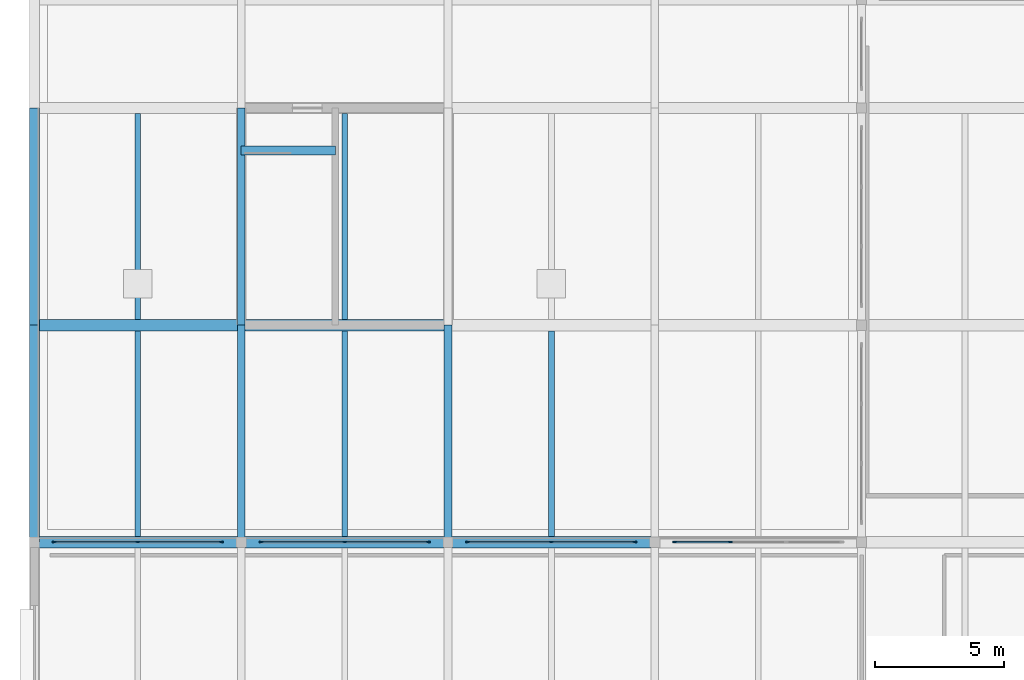
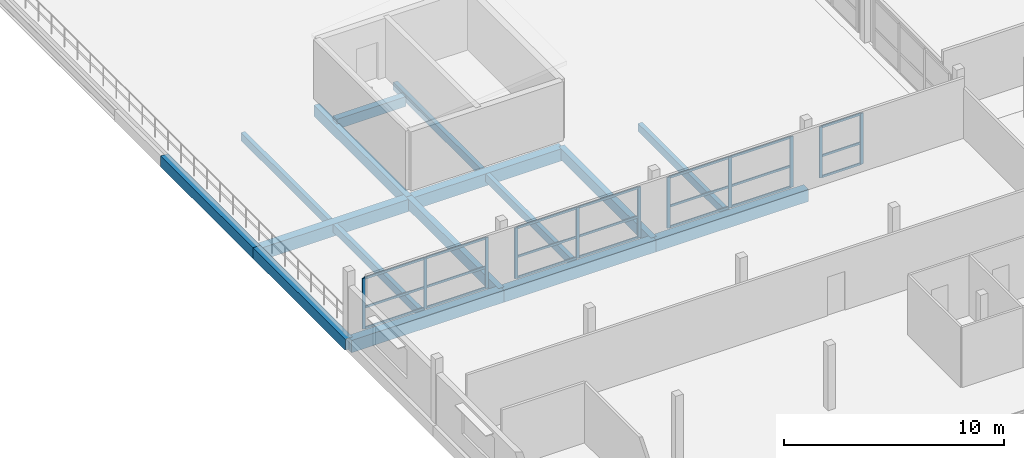
# One storey, part 18 of 51: 32 members, 16 beams, 4 elements without a shape of their own.
"""IFC4 building model written with IfcOpenShell, lengths in metres."""

import ifcopenshell
import ifcopenshell.guid

model = None  # the IFC model being written
_history = None  # IfcOwnerHistory: only IFC2X3 demands one
_inside = {}  # id of a spatial element -> (the spatial element, [elements in it])
_under = {}  # id of a project, library or spatial element -> (it, [spatial elements below it])
_declared = {}  # id of a project -> (the project, [libraries it declares])
_typed = {}  # id of a type object -> (the type object, [elements of that type])
_made_of = {}  # id of a material, layer set ... -> (it, [elements and type objects made of it])


def new_model(schema):
    """Start an empty IFC model of exactly this schema.

    Asked for "IFC4X3", IfcOpenShell would pick the latest addendum, in which some entities
    have other attributes; the version numbers below select the first issue.
    IFC2X3 requires an IfcOwnerHistory on every rooted entity: one is made here for all.
    """
    global model, _history
    if schema == "IFC4X3":
        model = ifcopenshell.file(schema_version=(4, 3, 0, 0))
    else:
        model = ifcopenshell.file(schema=schema)
    _inside.clear()
    _under.clear()
    _declared.clear()
    _typed.clear()
    _made_of.clear()
    _history = None
    if model.schema == "IFC2X3":
        org = make("IfcOrganization", Name="unknown")
        user = make(
            "IfcPersonAndOrganization",
            ThePerson=make("IfcPerson", FamilyName="unknown"),
            TheOrganization=org,
        )
        app = make(
            "IfcApplication",
            ApplicationDeveloper=org,
            Version="unknown",
            ApplicationFullName="unknown",
            ApplicationIdentifier="unknown",
        )
        _history = make(
            "IfcOwnerHistory",
            OwningUser=user,
            OwningApplication=app,
            ChangeAction="ADDED",
            CreationDate=0,
        )
    return model


def make(cls, **values):
    """One entity of the class cls with the attributes given. An attribute that is None is left unset."""
    return model.create_entity(
        cls, **{name: value for name, value in values.items() if value is not None}
    )


def rooted(cls, **values):
    """An entity with a GlobalId (a new one), such as an element, a storey or a relation."""
    return make(cls, GlobalId=ifcopenshell.guid.new(), OwnerHistory=_history, **values)


def si_unit(unit_type, name, prefix=None):
    """IfcSIUnit, for example si_unit("LENGTHUNIT", "METRE", prefix="MILLI")."""
    return make("IfcSIUnit", UnitType=unit_type, Prefix=prefix, Name=name)


def assignment(units):
    """IfcUnitAssignment: the units of a project."""
    return None if units is None else make("IfcUnitAssignment", Units=units)


def point(xyz):
    """IfcCartesianPoint."""
    return None if xyz is None else make("IfcCartesianPoint", Coordinates=xyz)


def direction(xyz):
    """IfcDirection."""
    return None if xyz is None else make("IfcDirection", DirectionRatios=xyz)


def frame(location, z_axis=None, x_axis=None):
    """IfcAxis2Placement3D, a coordinate frame: its origin and axes. An axis left out is left unset."""
    return make(
        "IfcAxis2Placement3D",
        Location=point(location),
        Axis=direction(z_axis),
        RefDirection=direction(x_axis),
    )


def frame_2d(location, x_axis=None):
    """IfcAxis2Placement2D, a coordinate frame in the plane: its origin and x axis."""
    return make(
        "IfcAxis2Placement2D", Location=point(location), RefDirection=direction(x_axis)
    )


def origin():
    """The frame at (0, 0, 0) with its axes left unset."""
    return frame((0.0, 0.0, 0.0))


def origin_2d():
    """The frame at (0, 0) in the plane with its x axis left unset."""
    return frame_2d((0.0, 0.0))


def place(relative_to, where):
    """IfcLocalPlacement: puts the frame where relative to a parent placement (None: the world)."""
    return make(
        "IfcLocalPlacement", PlacementRelTo=relative_to, RelativePlacement=where
    )


def context(
    kind, dimensions, precision=None, world=None, true_north=None, identifier=None
):
    """IfcGeometricRepresentationContext, for example the 3D "Model" context."""
    return make(
        "IfcGeometricRepresentationContext",
        ContextIdentifier=identifier,
        ContextType=kind,
        CoordinateSpaceDimension=dimensions,
        Precision=precision,
        WorldCoordinateSystem=world,
        TrueNorth=true_north,
    )


def subcontext(parent, identifier, kind, view, scale=None):
    """IfcGeometricRepresentationSubContext, for example "Body" below "Model"."""
    return make(
        "IfcGeometricRepresentationSubContext",
        ContextIdentifier=identifier,
        ContextType=kind,
        ParentContext=parent,
        TargetScale=scale,
        TargetView=view,
    )


def project(units=None, contexts=None):
    """IfcProject with its units and contexts."""
    return rooted(
        "IfcProject",
        Name="project",
        RepresentationContexts=contexts,
        UnitsInContext=assignment(units),
    )


def spatial(cls, under=None, at=None, **own):
    """A site, building, storey or space (cls), placed at a placement, below another one or the project."""
    s = rooted(cls, ObjectPlacement=at, **own)
    if under is not None:
        _under.setdefault(under.id(), (under, []))[1].append(s)
    return s


def profile(cls, at=None, kind="AREA", **sizes):
    """A parametric profile (cls). Its sizes go by their IFC names, for example OverallWidth=200.0."""
    return make(cls, ProfileType=kind, Position=at, **sizes)


def rectangle(**sizes):
    """IfcRectangleProfileDef."""
    return profile("IfcRectangleProfileDef", **sizes)


def extrude(swept, where, along, depth):
    """IfcExtrudedAreaSolid: the profile swept, set in the frame where, extruded along a direction by depth."""
    return make(
        "IfcExtrudedAreaSolid",
        SweptArea=swept,
        Position=where,
        ExtrudedDirection=direction(along),
        Depth=depth,
    )


def shape(context_of_items, identifier, shape_type, items):
    """IfcShapeRepresentation: the items that make up one representation, for example the "Body"."""
    return make(
        "IfcShapeRepresentation",
        ContextOfItems=context_of_items,
        RepresentationIdentifier=identifier,
        RepresentationType=shape_type,
        Items=items,
    )


def material(Name=None, Category=None):
    """IfcMaterial."""
    return make("IfcMaterial", Name=Name, Category=Category)


def material_profile(
    of_material, cross_section, Name=None, Category=None, Priority=None
):
    """IfcMaterialProfile: a cross section and its material."""
    return make(
        "IfcMaterialProfile",
        Name=Name,
        Material=of_material,
        Profile=cross_section,
        Priority=Priority,
        Category=Category,
    )


def profile_set(profiles, Name=None, composite=None):
    """IfcMaterialProfileSet."""
    return make(
        "IfcMaterialProfileSet",
        Name=Name,
        MaterialProfiles=profiles,
        CompositeProfile=composite,
    )


def made_of(thing, what):
    """Note that an element or type object is made of a material, layer set ...; save() writes the relation."""
    if what is not None:
        _made_of.setdefault(what.id(), (what, []))[1].append(thing)
    return thing


def type_object(cls, material=None, **own):
    """A type object (cls), such as IfcWallType, which elements share."""
    return made_of(rooted(cls, **own), material)


def element(
    cls,
    number,
    at=None,
    inside=None,
    cuts=None,
    type_object=None,
    material=None,
    context=None,
    identifier="Body",
    shape_type=None,
    held_by="IfcProductDefinitionShape",
    body=None,
    shapes=None,
    **own,
):
    """One element of the class cls, such as IfcWall. Its Tag is "e" and its number.

    at: its placement. inside: the storey or other place that contains it. cuts: it is an
    opening in that element (IfcRelVoidsElement). A single representation is given by context,
    identifier, shape_type and body (its items); several are given by shapes. held_by: the class
    of the entity that holds the representations. save() writes the other relations.
    """
    e = rooted(cls, Tag="e%d" % number, ObjectPlacement=at, **own)
    if body is not None:
        shapes = [shape(context, identifier, shape_type, body)]
    if shapes is not None:
        e.Representation = make(held_by, Representations=shapes)
    if inside is not None:
        _inside.setdefault(inside.id(), (inside, []))[1].append(e)
    if cuts is not None:
        rooted(
            "IfcRelVoidsElement", RelatingBuildingElement=cuts, RelatedOpeningElement=e
        )
    if type_object is not None:
        _typed.setdefault(type_object.id(), (type_object, []))[1].append(e)
    return made_of(e, material)


def aggregate(whole, parts):
    """IfcRelAggregates: a whole, such as a stair, and the parts it consists of."""
    return rooted("IfcRelAggregates", RelatingObject=whole, RelatedObjects=parts)


def save(model, path):
    """Write the relations noted so far, then the file.

    IfcRelAggregates (storeys below a building ...), IfcRelContainedInSpatialStructure (elements
    in a storey), IfcRelDefinesByType, IfcRelAssociatesMaterial and IfcRelDeclares: one each for
    every whole, place, type object, material and project.
    """
    for whole, parts in _under.values():
        aggregate(whole, parts)
    for where, things in _inside.values():
        rooted(
            "IfcRelContainedInSpatialStructure",
            RelatedElements=things,
            RelatingStructure=where,
        )
    for kind, things in _typed.values():
        rooted("IfcRelDefinesByType", RelatedObjects=things, RelatingType=kind)
    for what, things in _made_of.values():
        rooted("IfcRelAssociatesMaterial", RelatedObjects=things, RelatingMaterial=what)
    for by, libraries in _declared.values():
        rooted("IfcRelDeclares", RelatingContext=by, RelatedDefinitions=libraries)
    model.write(path)


model = new_model("IFC4")

# Units and contexts
model_context = context("Model", 3, precision=1e-05, world=origin(), true_north=direction((0.0, 1.0)))
body_context = subcontext(model_context, "Body", "Model", "MODEL_VIEW")
ifc_project = project(units=[si_unit("LENGTHUNIT", "METRE"), si_unit("AREAUNIT", "SQUARE_METRE"), si_unit("VOLUMEUNIT", "CUBIC_METRE"), si_unit("PLANEANGLEUNIT", "RADIAN"), si_unit("MASSUNIT", "GRAM", prefix="KILO")], contexts=[model_context])

# Site, building, storey
site_placement = place(None, origin())
site = spatial("IfcSite", under=ifc_project, at=site_placement, CompositionType="ELEMENT")
building_placement = place(site_placement, origin())
building = spatial("IfcBuilding", under=site, at=building_placement, Name="Vharandega Faculty of Natural Sciences", CompositionType="ELEMENT")
storey_placement = place(building_placement, frame((0.0, 0.0, 18.0)))
storey = spatial("IfcBuildingStorey", under=building, at=storey_placement, Name="L04", CompositionType="ELEMENT", Elevation=18.0)

# Curtain wall, members
ifc_material_1 = material(Name="Aluminium and solar-control glass curtain wall", Category="aluminium")
curtain_wall_type_1 = type_object("IfcCurtainWallType", Name="Unitised Curtain Wall System CW-12", PredefinedType="NOTDEFINED", material=ifc_material_1)
curtain_wall_1_placement = place(storey_placement, origin())
curtain_wall_1 = element("IfcCurtainWall", 1, at=curtain_wall_1_placement, inside=storey, type_object=curtain_wall_type_1, Name="Curtain Wall CW-L04-179", PredefinedType="NOTDEFINED")
ifc_material_2 = material(Name="Thermally broken aluminium 6063-T6", Category="aluminium")
ifc_material_profile_1 = material_profile(ifc_material_2, rectangle(XDim=0.06005859375, YDim=0.159912109375, at=origin_2d()), Name="ALU 60x160")
ifc_profile_set_1 = profile_set([ifc_material_profile_1], Name="Thermally broken aluminium 6063-T6")
member_type_1 = type_object("IfcMemberType", Name="CW Mullion 60x160", PredefinedType="MULLION", material=ifc_profile_set_1)
member_1_placement = place(storey_placement, frame((0.77001953125, 64.0, 0.0), z_axis=(0.0, 0.0, 1.0), x_axis=(0.0, 1.0, 0.0)))
member_1 = element("IfcMember", 2, at=member_1_placement, type_object=member_type_1, Name="CW-12 mullion 1", PredefinedType="MULLION", context=body_context, shape_type="SweptSolid", body=[
    extrude(rectangle(XDim=0.06005859375, YDim=0.159912109375, at=origin_2d()), origin(), (0.0, 0.0, 1.0), 2.820068359375),
])
member_2_placement = place(storey_placement, frame((4.0, 64.0, 0.0), z_axis=(0.0, 0.0, 1.0), x_axis=(0.0, 1.0, 0.0)))
member_2 = element("IfcMember", 3, at=member_2_placement, type_object=member_type_1, Name="CW-12 mullion 2", PredefinedType="MULLION", context=body_context, shape_type="SweptSolid", body=[
    extrude(rectangle(XDim=0.06005859375, YDim=0.159912109375, at=origin_2d()), origin(), (0.0, 0.0, 1.0), 2.820068359375),
])
member_3_placement = place(storey_placement, frame((7.22998046875, 64.0, 0.0), z_axis=(0.0, 0.0, 1.0), x_axis=(0.0, 1.0, 0.0)))
member_3 = element("IfcMember", 4, at=member_3_placement, type_object=member_type_1, Name="CW-12 mullion 3", PredefinedType="MULLION", context=body_context, shape_type="SweptSolid", body=[
    extrude(rectangle(XDim=0.06005859375, YDim=0.159912109375, at=origin_2d()), origin(), (0.0, 0.0, 1.0), 2.820068359375),
])

ifc_material_3 = material(Name="Aluminium and solar-control glass curtain wall", Category="aluminium")
curtain_wall_type_2 = type_object("IfcCurtainWallType", Name="Unitised Curtain Wall System CW-13", PredefinedType="NOTDEFINED", material=ifc_material_3)
curtain_wall_2_placement = place(storey_placement, origin())
curtain_wall_2 = element("IfcCurtainWall", 5, at=curtain_wall_2_placement, inside=storey, type_object=curtain_wall_type_2, Name="Curtain Wall CW-L04-180", PredefinedType="NOTDEFINED")
member_4_placement = place(storey_placement, frame((8.77001953125, 64.0, 0.0), z_axis=(0.0, 0.0, 1.0), x_axis=(0.0, 1.0, 0.0)))
member_4 = element("IfcMember", 6, at=member_4_placement, type_object=member_type_1, Name="CW-13 mullion 1", PredefinedType="MULLION", context=body_context, shape_type="SweptSolid", body=[
    extrude(rectangle(XDim=0.06005859375, YDim=0.159912109375, at=origin_2d()), origin(), (0.0, 0.0, 1.0), 2.820068359375),
])
member_5_placement = place(storey_placement, frame((12.0, 64.0, 0.0), z_axis=(0.0, 0.0, 1.0), x_axis=(0.0, 1.0, 0.0)))
member_5 = element("IfcMember", 7, at=member_5_placement, type_object=member_type_1, Name="CW-13 mullion 2", PredefinedType="MULLION", context=body_context, shape_type="SweptSolid", body=[
    extrude(rectangle(XDim=0.06005859375, YDim=0.159912109375, at=origin_2d()), origin(), (0.0, 0.0, 1.0), 2.820068359375),
])
member_6_placement = place(storey_placement, frame((15.22998046875, 64.0, 0.0), z_axis=(0.0, 0.0, 1.0), x_axis=(0.0, 1.0, 0.0)))
member_6 = element("IfcMember", 8, at=member_6_placement, type_object=member_type_1, Name="CW-13 mullion 3", PredefinedType="MULLION", context=body_context, shape_type="SweptSolid", body=[
    extrude(rectangle(XDim=0.06005859375, YDim=0.159912109375, at=origin_2d()), origin(), (0.0, 0.0, 1.0), 2.820068359375),
])

ifc_material_4 = material(Name="Aluminium and solar-control glass curtain wall", Category="aluminium")
curtain_wall_type_3 = type_object("IfcCurtainWallType", Name="Unitised Curtain Wall System CW-14", PredefinedType="NOTDEFINED", material=ifc_material_4)
curtain_wall_3_placement = place(storey_placement, origin())
curtain_wall_3 = element("IfcCurtainWall", 9, at=curtain_wall_3_placement, inside=storey, type_object=curtain_wall_type_3, Name="Curtain Wall CW-L04-181", PredefinedType="NOTDEFINED")
member_7_placement = place(storey_placement, frame((16.77001953125, 64.0, 0.0), z_axis=(0.0, 0.0, 1.0), x_axis=(0.0, 1.0, 0.0)))
member_7 = element("IfcMember", 10, at=member_7_placement, type_object=member_type_1, Name="CW-14 mullion 1", PredefinedType="MULLION", context=body_context, shape_type="SweptSolid", body=[
    extrude(rectangle(XDim=0.06005859375, YDim=0.159912109375, at=origin_2d()), origin(), (0.0, 0.0, 1.0), 2.820068359375),
])
member_8_placement = place(storey_placement, frame((20.0, 64.0, 0.0), z_axis=(0.0, 0.0, 1.0), x_axis=(0.0, 1.0, 0.0)))
member_8 = element("IfcMember", 11, at=member_8_placement, type_object=member_type_1, Name="CW-14 mullion 2", PredefinedType="MULLION", context=body_context, shape_type="SweptSolid", body=[
    extrude(rectangle(XDim=0.06005859375, YDim=0.159912109375, at=origin_2d()), origin(), (0.0, 0.0, 1.0), 2.820068359375),
])
member_9_placement = place(storey_placement, frame((23.22998046875, 64.0, 0.0), z_axis=(0.0, 0.0, 1.0), x_axis=(0.0, 1.0, 0.0)))
member_9 = element("IfcMember", 12, at=member_9_placement, type_object=member_type_1, Name="CW-14 mullion 3", PredefinedType="MULLION", context=body_context, shape_type="SweptSolid", body=[
    extrude(rectangle(XDim=0.06005859375, YDim=0.159912109375, at=origin_2d()), origin(), (0.0, 0.0, 1.0), 2.820068359375),
])

ifc_material_5 = material(Name="Aluminium and solar-control glass curtain wall", Category="aluminium")
curtain_wall_type_4 = type_object("IfcCurtainWallType", Name="Unitised Curtain Wall System CW-15", PredefinedType="NOTDEFINED", material=ifc_material_5)
curtain_wall_4_placement = place(storey_placement, origin())
curtain_wall_4 = element("IfcCurtainWall", 13, at=curtain_wall_4_placement, inside=storey, type_object=curtain_wall_type_4, Name="Curtain Wall CW-L04-182", PredefinedType="NOTDEFINED")
member_10_placement = place(storey_placement, frame((24.77001953125, 64.0, 0.0), z_axis=(0.0, 0.0, 1.0), x_axis=(0.0, 1.0, 0.0)))
member_10 = element("IfcMember", 14, at=member_10_placement, type_object=member_type_1, Name="CW-15 mullion 1", PredefinedType="MULLION", context=body_context, shape_type="SweptSolid", body=[
    extrude(rectangle(XDim=0.06005859375, YDim=0.159912109375, at=origin_2d()), origin(), (0.0, 0.0, 1.0), 2.820068359375),
])
member_11_placement = place(storey_placement, frame((26.913330078125, 64.0, 0.0), z_axis=(0.0, 0.0, 1.0), x_axis=(0.0, 1.0, 0.0)))
member_11 = element("IfcMember", 15, at=member_11_placement, type_object=member_type_1, Name="CW-15 mullion 2", PredefinedType="MULLION", context=body_context, shape_type="SweptSolid", body=[
    extrude(rectangle(XDim=0.06005859375, YDim=0.159912109375, at=origin_2d()), origin(), (0.0, 0.0, 1.0), 2.820068359375),
])

# Member
ifc_material_6 = material(Name="Thermally broken aluminium 6063-T6", Category="aluminium")
ifc_material_profile_2 = material_profile(ifc_material_6, rectangle(XDim=0.06005859375, YDim=0.1201171875, at=origin_2d()), Name="ALU 60x120")
ifc_profile_set_2 = profile_set([ifc_material_profile_2], Name="Thermally broken aluminium 6063-T6")
member_type_2 = type_object("IfcMemberType", Name="CW Transom 60x120", PredefinedType="USERDEFINED", material=ifc_profile_set_2)
member_12_placement = place(storey_placement, frame((0.800048828125, 64.0, 0.030029296875), z_axis=(1.0, 0.0, 0.0), x_axis=(0.0, 1.0, 0.0)))
member_12 = element("IfcMember", 16, at=member_12_placement, type_object=member_type_2, Name="CW-12 transom 1.1", ObjectType="TRANSOM", PredefinedType="USERDEFINED", context=body_context, shape_type="SweptSolid", body=[
    extrude(rectangle(XDim=0.06005859375, YDim=0.1201171875, at=origin_2d()), origin(), (0.0, 0.0, 1.0), 3.169921875),
])

member_13_placement = place(storey_placement, frame((0.800048828125, 64.0, 1.184326171875), z_axis=(1.0, 0.0, 0.0), x_axis=(0.0, 1.0, 0.0)))
member_13 = element("IfcMember", 17, at=member_13_placement, type_object=member_type_2, Name="CW-12 transom 1.2", ObjectType="TRANSOM", PredefinedType="USERDEFINED", context=body_context, shape_type="SweptSolid", body=[
    extrude(rectangle(XDim=0.06005859375, YDim=0.1201171875, at=origin_2d()), origin(), (0.0, 0.0, 1.0), 3.169921875),
])

member_14_placement = place(storey_placement, frame((0.800048828125, 64.0, 2.7900390625), z_axis=(1.0, 0.0, 0.0), x_axis=(0.0, 1.0, 0.0)))
member_14 = element("IfcMember", 18, at=member_14_placement, type_object=member_type_2, Name="CW-12 transom 1.3", ObjectType="TRANSOM", PredefinedType="USERDEFINED", context=body_context, shape_type="SweptSolid", body=[
    extrude(rectangle(XDim=0.06005859375, YDim=0.1201171875, at=origin_2d()), origin(), (0.0, 0.0, 1.0), 3.169921875),
])

member_15_placement = place(storey_placement, frame((4.030029296875, 64.0, 0.030029296875), z_axis=(1.0, 0.0, 0.0), x_axis=(0.0, 1.0, 0.0)))
member_15 = element("IfcMember", 19, at=member_15_placement, type_object=member_type_2, Name="CW-12 transom 2.1", ObjectType="TRANSOM", PredefinedType="USERDEFINED", context=body_context, shape_type="SweptSolid", body=[
    extrude(rectangle(XDim=0.06005859375, YDim=0.1201171875, at=origin_2d()), origin(), (0.0, 0.0, 1.0), 3.169921875),
])

member_16_placement = place(storey_placement, frame((4.030029296875, 64.0, 1.184326171875), z_axis=(1.0, 0.0, 0.0), x_axis=(0.0, 1.0, 0.0)))
member_16 = element("IfcMember", 20, at=member_16_placement, type_object=member_type_2, Name="CW-12 transom 2.2", ObjectType="TRANSOM", PredefinedType="USERDEFINED", context=body_context, shape_type="SweptSolid", body=[
    extrude(rectangle(XDim=0.06005859375, YDim=0.1201171875, at=origin_2d()), origin(), (0.0, 0.0, 1.0), 3.169921875),
])

member_17_placement = place(storey_placement, frame((4.030029296875, 64.0, 2.7900390625), z_axis=(1.0, 0.0, 0.0), x_axis=(0.0, 1.0, 0.0)))
member_17 = element("IfcMember", 21, at=member_17_placement, type_object=member_type_2, Name="CW-12 transom 2.3", ObjectType="TRANSOM", PredefinedType="USERDEFINED", context=body_context, shape_type="SweptSolid", body=[
    extrude(rectangle(XDim=0.06005859375, YDim=0.1201171875, at=origin_2d()), origin(), (0.0, 0.0, 1.0), 3.169921875),
])

aggregate(curtain_wall_1, [member_1, member_2, member_3, member_12, member_13, member_14, member_15, member_16, member_17])

member_18_placement = place(storey_placement, frame((8.800048828125, 64.0, 0.030029296875), z_axis=(1.0, 0.0, 0.0), x_axis=(0.0, 1.0, 0.0)))
member_18 = element("IfcMember", 22, at=member_18_placement, type_object=member_type_2, Name="CW-13 transom 1.1", ObjectType="TRANSOM", PredefinedType="USERDEFINED", context=body_context, shape_type="SweptSolid", body=[
    extrude(rectangle(XDim=0.06005859375, YDim=0.1201171875, at=origin_2d()), origin(), (0.0, 0.0, 1.0), 3.169921875),
])

member_19_placement = place(storey_placement, frame((8.800048828125, 64.0, 1.184326171875), z_axis=(1.0, 0.0, 0.0), x_axis=(0.0, 1.0, 0.0)))
member_19 = element("IfcMember", 23, at=member_19_placement, type_object=member_type_2, Name="CW-13 transom 1.2", ObjectType="TRANSOM", PredefinedType="USERDEFINED", context=body_context, shape_type="SweptSolid", body=[
    extrude(rectangle(XDim=0.06005859375, YDim=0.1201171875, at=origin_2d()), origin(), (0.0, 0.0, 1.0), 3.169921875),
])

member_20_placement = place(storey_placement, frame((8.800048828125, 64.0, 2.7900390625), z_axis=(1.0, 0.0, 0.0), x_axis=(0.0, 1.0, 0.0)))
member_20 = element("IfcMember", 24, at=member_20_placement, type_object=member_type_2, Name="CW-13 transom 1.3", ObjectType="TRANSOM", PredefinedType="USERDEFINED", context=body_context, shape_type="SweptSolid", body=[
    extrude(rectangle(XDim=0.06005859375, YDim=0.1201171875, at=origin_2d()), origin(), (0.0, 0.0, 1.0), 3.169921875),
])

member_21_placement = place(storey_placement, frame((12.030029296875, 64.0, 0.030029296875), z_axis=(1.0, 0.0, 0.0), x_axis=(0.0, 1.0, 0.0)))
member_21 = element("IfcMember", 25, at=member_21_placement, type_object=member_type_2, Name="CW-13 transom 2.1", ObjectType="TRANSOM", PredefinedType="USERDEFINED", context=body_context, shape_type="SweptSolid", body=[
    extrude(rectangle(XDim=0.06005859375, YDim=0.1201171875, at=origin_2d()), origin(), (0.0, 0.0, 1.0), 3.169921875),
])

member_22_placement = place(storey_placement, frame((12.030029296875, 64.0, 1.184326171875), z_axis=(1.0, 0.0, 0.0), x_axis=(0.0, 1.0, 0.0)))
member_22 = element("IfcMember", 26, at=member_22_placement, type_object=member_type_2, Name="CW-13 transom 2.2", ObjectType="TRANSOM", PredefinedType="USERDEFINED", context=body_context, shape_type="SweptSolid", body=[
    extrude(rectangle(XDim=0.06005859375, YDim=0.1201171875, at=origin_2d()), origin(), (0.0, 0.0, 1.0), 3.169921875),
])

member_23_placement = place(storey_placement, frame((12.030029296875, 64.0, 2.7900390625), z_axis=(1.0, 0.0, 0.0), x_axis=(0.0, 1.0, 0.0)))
member_23 = element("IfcMember", 27, at=member_23_placement, type_object=member_type_2, Name="CW-13 transom 2.3", ObjectType="TRANSOM", PredefinedType="USERDEFINED", context=body_context, shape_type="SweptSolid", body=[
    extrude(rectangle(XDim=0.06005859375, YDim=0.1201171875, at=origin_2d()), origin(), (0.0, 0.0, 1.0), 3.169921875),
])

aggregate(curtain_wall_2, [member_4, member_5, member_6, member_18, member_19, member_20, member_21, member_22, member_23])

member_24_placement = place(storey_placement, frame((16.800048828125, 64.0, 0.030029296875), z_axis=(1.0, 0.0, 0.0), x_axis=(0.0, 1.0, 0.0)))
member_24 = element("IfcMember", 28, at=member_24_placement, type_object=member_type_2, Name="CW-14 transom 1.1", ObjectType="TRANSOM", PredefinedType="USERDEFINED", context=body_context, shape_type="SweptSolid", body=[
    extrude(rectangle(XDim=0.06005859375, YDim=0.1201171875, at=origin_2d()), origin(), (0.0, 0.0, 1.0), 3.169921875),
])

member_25_placement = place(storey_placement, frame((16.800048828125, 64.0, 1.184326171875), z_axis=(1.0, 0.0, 0.0), x_axis=(0.0, 1.0, 0.0)))
member_25 = element("IfcMember", 29, at=member_25_placement, type_object=member_type_2, Name="CW-14 transom 1.2", ObjectType="TRANSOM", PredefinedType="USERDEFINED", context=body_context, shape_type="SweptSolid", body=[
    extrude(rectangle(XDim=0.06005859375, YDim=0.1201171875, at=origin_2d()), origin(), (0.0, 0.0, 1.0), 3.169921875),
])

member_26_placement = place(storey_placement, frame((16.800048828125, 64.0, 2.7900390625), z_axis=(1.0, 0.0, 0.0), x_axis=(0.0, 1.0, 0.0)))
member_26 = element("IfcMember", 30, at=member_26_placement, type_object=member_type_2, Name="CW-14 transom 1.3", ObjectType="TRANSOM", PredefinedType="USERDEFINED", context=body_context, shape_type="SweptSolid", body=[
    extrude(rectangle(XDim=0.06005859375, YDim=0.1201171875, at=origin_2d()), origin(), (0.0, 0.0, 1.0), 3.169921875),
])

member_27_placement = place(storey_placement, frame((20.030029296875, 64.0, 0.030029296875), z_axis=(1.0, 0.0, 0.0), x_axis=(0.0, 1.0, 0.0)))
member_27 = element("IfcMember", 31, at=member_27_placement, type_object=member_type_2, Name="CW-14 transom 2.1", ObjectType="TRANSOM", PredefinedType="USERDEFINED", context=body_context, shape_type="SweptSolid", body=[
    extrude(rectangle(XDim=0.06005859375, YDim=0.1201171875, at=origin_2d()), origin(), (0.0, 0.0, 1.0), 3.169921875),
])

member_28_placement = place(storey_placement, frame((20.030029296875, 64.0, 1.184326171875), z_axis=(1.0, 0.0, 0.0), x_axis=(0.0, 1.0, 0.0)))
member_28 = element("IfcMember", 32, at=member_28_placement, type_object=member_type_2, Name="CW-14 transom 2.2", ObjectType="TRANSOM", PredefinedType="USERDEFINED", context=body_context, shape_type="SweptSolid", body=[
    extrude(rectangle(XDim=0.06005859375, YDim=0.1201171875, at=origin_2d()), origin(), (0.0, 0.0, 1.0), 3.169921875),
])

member_29_placement = place(storey_placement, frame((20.030029296875, 64.0, 2.7900390625), z_axis=(1.0, 0.0, 0.0), x_axis=(0.0, 1.0, 0.0)))
member_29 = element("IfcMember", 33, at=member_29_placement, type_object=member_type_2, Name="CW-14 transom 2.3", ObjectType="TRANSOM", PredefinedType="USERDEFINED", context=body_context, shape_type="SweptSolid", body=[
    extrude(rectangle(XDim=0.06005859375, YDim=0.1201171875, at=origin_2d()), origin(), (0.0, 0.0, 1.0), 3.169921875),
])

aggregate(curtain_wall_3, [member_7, member_8, member_9, member_24, member_25, member_26, member_27, member_28, member_29])

member_30_placement = place(storey_placement, frame((24.800048828125, 64.0, 0.030029296875), z_axis=(1.0, 0.0, 0.0), x_axis=(0.0, 1.0, 0.0)))
member_30 = element("IfcMember", 34, at=member_30_placement, type_object=member_type_2, Name="CW-15 transom 1.1", ObjectType="TRANSOM", PredefinedType="USERDEFINED", context=body_context, shape_type="SweptSolid", body=[
    extrude(rectangle(XDim=0.06005859375, YDim=0.1201171875, at=origin_2d()), origin(), (0.0, 0.0, 1.0), 2.083251953125),
])

member_31_placement = place(storey_placement, frame((24.800048828125, 64.0, 1.184326171875), z_axis=(1.0, 0.0, 0.0), x_axis=(0.0, 1.0, 0.0)))
member_31 = element("IfcMember", 35, at=member_31_placement, type_object=member_type_2, Name="CW-15 transom 1.2", ObjectType="TRANSOM", PredefinedType="USERDEFINED", context=body_context, shape_type="SweptSolid", body=[
    extrude(rectangle(XDim=0.06005859375, YDim=0.1201171875, at=origin_2d()), origin(), (0.0, 0.0, 1.0), 2.083251953125),
])

member_32_placement = place(storey_placement, frame((24.800048828125, 64.0, 2.7900390625), z_axis=(1.0, 0.0, 0.0), x_axis=(0.0, 1.0, 0.0)))
member_32 = element("IfcMember", 36, at=member_32_placement, type_object=member_type_2, Name="CW-15 transom 1.3", ObjectType="TRANSOM", PredefinedType="USERDEFINED", context=body_context, shape_type="SweptSolid", body=[
    extrude(rectangle(XDim=0.06005859375, YDim=0.1201171875, at=origin_2d()), origin(), (0.0, 0.0, 1.0), 2.083251953125),
])

aggregate(curtain_wall_4, [member_10, member_11, member_30, member_31, member_32])

# Beams
ifc_material_7 = material(Name="Glulam GL28h", Category="wood")
ifc_material_profile_3 = material_profile(ifc_material_7, rectangle(XDim=0.300048828125, YDim=0.60009765625, at=origin_2d()), Name="GL28h 300x600")
ifc_profile_set_3 = profile_set([ifc_material_profile_3], Name="Glulam GL28h")
beam_type_1 = type_object("IfcBeamType", Name="Glulam Floor Beam 300x600", PredefinedType="BEAM", material=ifc_profile_set_3)
beam_1_placement = place(storey_placement, frame((8.0, 64.0, -0.56005859375), z_axis=(0.0, 1.0, 0.0), x_axis=(-1.0, 0.0, 0.0)))
element("IfcBeam", 37, at=beam_1_placement, inside=storey, type_object=beam_type_1, Name="Beam L04 2/J-K", PredefinedType="BEAM", context=body_context, shape_type="SweptSolid", body=[
    extrude(rectangle(XDim=0.300048828125, YDim=0.60009765625, at=origin_2d()), origin(), (0.0, 0.0, 1.0), 8.39990234375),
])
beam_2_placement = place(storey_placement, frame((8.0, 72.39990234375, -0.56005859375), z_axis=(0.0, 1.0, 0.0), x_axis=(-1.0, 0.0, 0.0)))
element("IfcBeam", 38, at=beam_2_placement, inside=storey, type_object=beam_type_1, Name="Beam L04 2/K-L", PredefinedType="BEAM", context=body_context, shape_type="SweptSolid", body=[
    extrude(rectangle(XDim=0.300048828125, YDim=0.60009765625, at=origin_2d()), origin(), (0.0, 0.0, 1.0), 8.400146484375),
])
beam_3_placement = place(storey_placement, frame((16.0, 64.0, -0.56005859375), z_axis=(0.0, 1.0, 0.0), x_axis=(-1.0, 0.0, 0.0)))
element("IfcBeam", 39, at=beam_3_placement, inside=storey, type_object=beam_type_1, Name="Beam L04 3/J-K", PredefinedType="BEAM", context=body_context, shape_type="SweptSolid", body=[
    extrude(rectangle(XDim=0.300048828125, YDim=0.60009765625, at=origin_2d()), origin(), (0.0, 0.0, 1.0), 8.39990234375),
])
ifc_material_8 = material(Name="Glulam GL32h", Category="wood")
ifc_material_profile_4 = material_profile(ifc_material_8, rectangle(XDim=0.43994140625, YDim=0.679931640625, at=origin_2d()), Name="GL32h 440x680")
ifc_profile_set_4 = profile_set([ifc_material_profile_4], Name="Glulam GL32h")
beam_type_2 = type_object("IfcBeamType", Name="Glulam Girder 440x680", PredefinedType="BEAM", material=ifc_profile_set_4)
for number, where, z_axis, x_axis, name in (
    (40, (0.0, 64.0, -0.60009765625), (1.0, 0.0, 0.0), (0.0, 1.0, 0.0), "Beam L04 J/1-2"),
    (41, (8.0, 64.0, -0.60009765625), (1.0, 0.0, 0.0), (0.0, 1.0, 0.0), "Beam L04 J/2-3"),
    (42, (16.0, 64.0, -0.60009765625), (1.0, 0.0, 0.0), (0.0, 1.0, 0.0), "Beam L04 J/3-4"),
    (43, (0.0, 72.39990234375, -0.60009765625), (1.0, 0.0, 0.0), (0.0, 1.0, 0.0), "Beam L04 K/1-2"),
    (44, (8.0, 72.39990234375, -0.60009765625), (1.0, 0.0, 0.0), (0.0, 1.0, 0.0), "Beam L04 K/2-3"),
):
    element("IfcBeam", number, at=place(storey_placement, frame(where, z_axis=z_axis, x_axis=x_axis)), inside=storey, type_object=beam_type_2, Name=name, PredefinedType="BEAM", context=body_context, shape_type="SweptSolid", body=[
        extrude(rectangle(XDim=0.43994140625, YDim=0.679931640625, at=origin_2d()), origin(), (0.0, 0.0, 1.0), 8.0),
    ])
ifc_material_9 = material(Name="Glulam GL28h", Category="wood")
ifc_material_profile_5 = material_profile(ifc_material_9, rectangle(XDim=0.219970703125, YDim=0.43994140625, at=origin_2d()), Name="GL28h 220x440")
ifc_profile_set_5 = profile_set([ifc_material_profile_5], Name="Glulam GL28h")
beam_type_3 = type_object("IfcBeamType", Name="Glulam Secondary Joist 220x440", PredefinedType="JOIST", material=ifc_profile_set_5)
for number, where, z_axis, x_axis, name in (
    (45, (4.0, 64.219970703125, -0.47998046875), (0.0, 1.0, 0.0), (-1.0, 0.0, 0.0), "Secondary Joist L04 1-2/J-K"),
    (46, (4.0, 72.6201171875, -0.47998046875), (0.0, 1.0, 0.0), (-1.0, 0.0, 0.0), "Secondary Joist L04 1-2/K-L"),
    (47, (12.0, 64.219970703125, -0.47998046875), (0.0, 1.0, 0.0), (-1.0, 0.0, 0.0), "Secondary Joist L04 2-3/J-K"),
    (48, (12.0, 72.6201171875, -0.47998046875), (0.0, 1.0, 0.0), (-1.0, 0.0, 0.0), "Secondary Joist L04 2-3/K-L"),
    (49, (20.0, 64.219970703125, -0.47998046875), (0.0, 1.0, 0.0), (-1.0, 0.0, 0.0), "Secondary Joist L04 3-4/J-K"),
):
    element("IfcBeam", number, at=place(storey_placement, frame(where, z_axis=z_axis, x_axis=x_axis)), inside=storey, type_object=beam_type_3, Name=name, PredefinedType="JOIST", context=body_context, shape_type="SweptSolid", body=[
        extrude(rectangle(XDim=0.219970703125, YDim=0.43994140625, at=origin_2d()), origin(), (0.0, 0.0, 1.0), 7.9599609375),
    ])
ifc_material_10 = material(Name="Glulam GL32h", Category="wood")
ifc_material_profile_6 = material_profile(ifc_material_10, rectangle(XDim=0.39990234375, YDim=0.60009765625, at=origin_2d()), Name="GL32h 400x600")
ifc_profile_set_6 = profile_set([ifc_material_profile_6], Name="Glulam GL32h")
beam_type_4 = type_object("IfcBeamType", Name="Glulam Spine Girder 400x600", PredefinedType="BEAM", material=ifc_profile_set_6)
beam_4_placement = place(storey_placement, frame((0.0, 64.0, -0.56005859375), z_axis=(0.0, 1.0, 0.0), x_axis=(-1.0, 0.0, 0.0)))
element("IfcBeam", 50, at=beam_4_placement, inside=storey, type_object=beam_type_4, Name="Beam L04 1/J-K", PredefinedType="BEAM", context=body_context, shape_type="SweptSolid", body=[
    extrude(rectangle(XDim=0.39990234375, YDim=0.60009765625, at=origin_2d()), origin(), (0.0, 0.0, 1.0), 8.39990234375),
])
beam_5_placement = place(storey_placement, frame((0.0, 72.39990234375, -0.56005859375), z_axis=(0.0, 1.0, 0.0), x_axis=(-1.0, 0.0, 0.0)))
element("IfcBeam", 51, at=beam_5_placement, inside=storey, type_object=beam_type_4, Name="Beam L04 1/K-L", PredefinedType="BEAM", context=body_context, shape_type="SweptSolid", body=[
    extrude(rectangle(XDim=0.39990234375, YDim=0.60009765625, at=origin_2d()), origin(), (0.0, 0.0, 1.0), 8.400146484375),
])
ifc_material_11 = material(Name="Concrete C40/50", Category="concrete")
ifc_material_profile_7 = material_profile(ifc_material_11, rectangle(XDim=0.35009765625, YDim=0.550048828125, at=origin_2d()), Name="RC 350x550")
ifc_profile_set_7 = profile_set([ifc_material_profile_7], Name="Concrete C40/50")
beam_type_5 = type_object("IfcBeamType", Name="Stair Header Trimmer Beam 350x550", PredefinedType="BEAM", material=ifc_profile_set_7)
beam_6_placement = place(storey_placement, frame((8.0, 79.14990234375, -0.27490234375), z_axis=(1.0, 0.0, 0.0), x_axis=(0.0, 1.0, 0.0)))
element("IfcBeam", 52, at=beam_6_placement, inside=storey, type_object=beam_type_5, Name="Stair Landing Trimmer Beam C4 L04", PredefinedType="BEAM", context=body_context, shape_type="SweptSolid", body=[
    extrude(rectangle(XDim=0.35009765625, YDim=0.550048828125, at=origin_2d()), origin(), (0.0, 0.0, 1.0), 3.639892578125),
])

save(model, "model.ifc")
